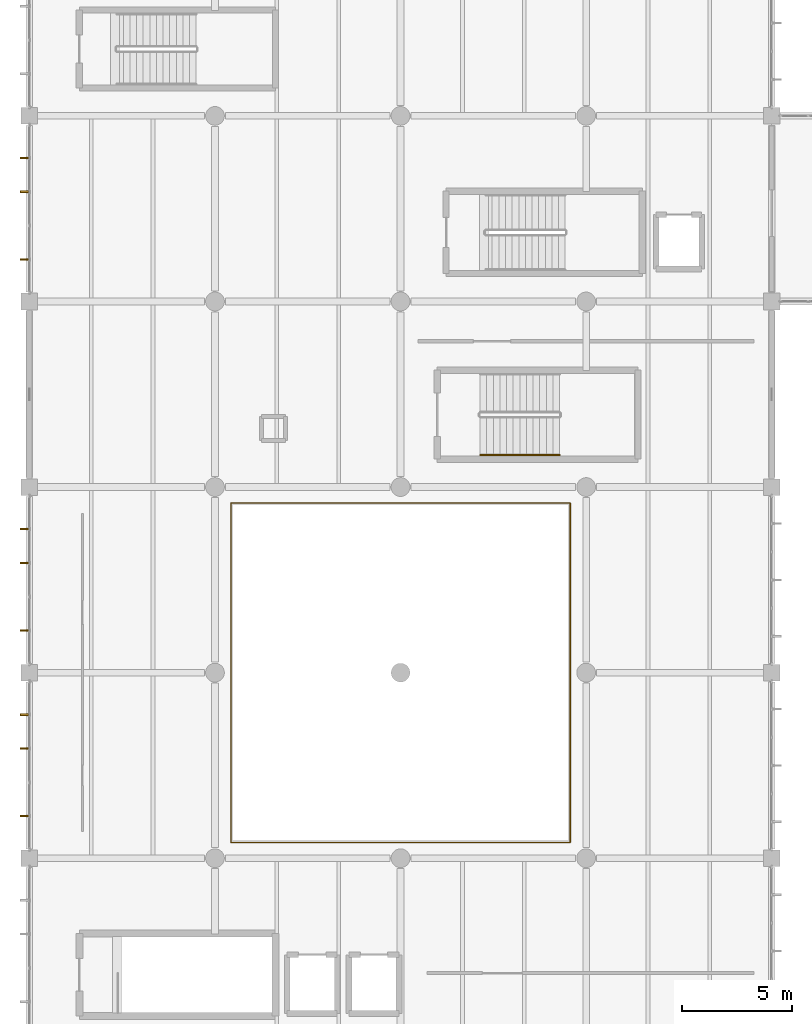
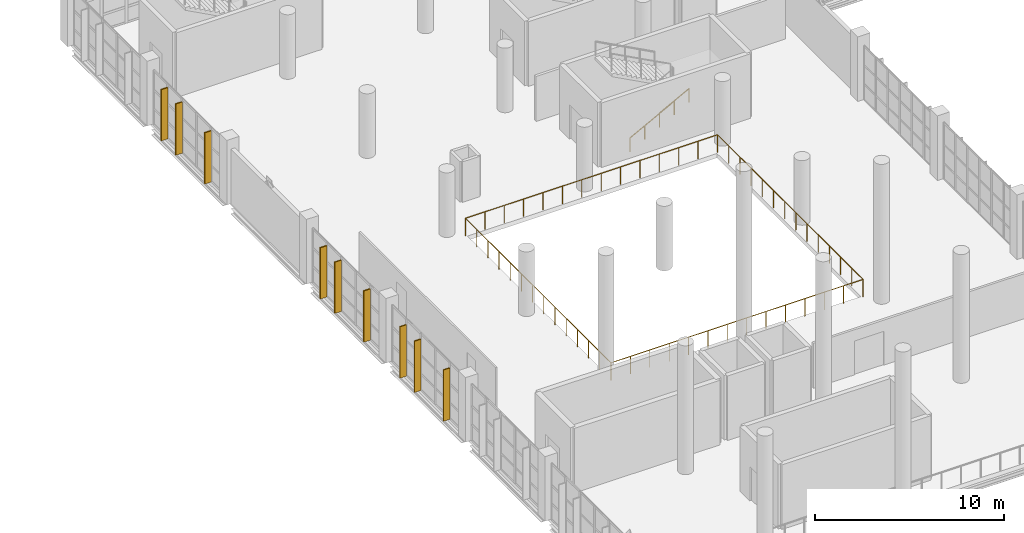
# One storey, part 166 of 177: 9 shading devices, 2 railings.
"""IFC4 building model written with IfcOpenShell, lengths in metres."""

from ifc_helpers import new_model, si_unit, direction, frame, origin, origin_2d, place, context, subcontext, project, spatial, rectangle, circle, extrude, material, type_object, element, save


model = new_model("IFC4")

# Units and contexts
model_context = context("Model", 3, precision=1e-05, world=origin(), true_north=direction((0.0, 1.0)))
body_context = subcontext(model_context, "Body", "Model", "MODEL_VIEW")
ifc_project = project(units=[si_unit("LENGTHUNIT", "METRE"), si_unit("AREAUNIT", "SQUARE_METRE"), si_unit("VOLUMEUNIT", "CUBIC_METRE"), si_unit("PLANEANGLEUNIT", "RADIAN"), si_unit("MASSUNIT", "GRAM", prefix="KILO"), si_unit("THERMODYNAMICTEMPERATUREUNIT", "KELVIN"), si_unit("POWERUNIT", "WATT")], contexts=[model_context])

# Site, building, storey
site_placement = place(None, origin())
site = spatial("IfcSite", under=ifc_project, at=site_placement, CompositionType="ELEMENT")
building_placement = place(site_placement, origin())
building = spatial("IfcBuilding", under=site, at=building_placement, Name="Mavoryth Pier Ferry Terminal", CompositionType="ELEMENT")
storey_placement = place(building_placement, frame((0.0, 0.0, 5.43994140625)))
storey = spatial("IfcBuildingStorey", under=building, at=storey_placement, Name="L01", CompositionType="ELEMENT", Elevation=5.43994140625)

# Shading devices
ifc_material_1 = material(Name="Anodised Aluminium Solar-Shading Fin", Category="aluminium")
shading_device_type = type_object("IfcShadingDeviceType", Name="Fin-BriseSoleil-400x75x3300", PredefinedType="SHUTTER", material=ifc_material_1)
for number, where, z_axis, x_axis, name in (
    (1, (-0.22412109375, 70.4951171875, 0.0), (0.0, 0.0, 1.0), (0.0, -1.0, 0.0), "Solar Shading Fin 43"),
    (2, (-0.22412109375, 68.965087890625, 0.0), (0.0, 0.0, 1.0), (0.0, -1.0, 0.0), "Solar Shading Fin 44"),
    (3, (-0.22412109375, 65.905029296875, 0.0), (0.0, 0.0, 1.0), (0.0, -1.0, 0.0), "Solar Shading Fin 45"),
    (4, (-0.22412109375, 78.89501953125, 0.0), (0.0, 0.0, 1.0), (0.0, -1.0, 0.0), "Solar Shading Fin 55"),
    (5, (-0.22412109375, 77.364990234375, 0.0), (0.0, 0.0, 1.0), (0.0, -1.0, 0.0), "Solar Shading Fin 56"),
    (6, (-0.22412109375, 74.304931640625, 0.0), (0.0, 0.0, 1.0), (0.0, -1.0, 0.0), "Solar Shading Fin 57"),
    (7, (-0.22412109375, 95.695068359375, 0.0), (0.0, 0.0, 1.0), (0.0, -1.0, 0.0), "Solar Shading Fin 67"),
    (8, (-0.22412109375, 94.1650390625, 0.0), (0.0, 0.0, 1.0), (0.0, -1.0, 0.0), "Solar Shading Fin 68"),
    (9, (-0.22412109375, 91.10498046875, 0.0), (0.0, 0.0, 1.0), (0.0, -1.0, 0.0), "Solar Shading Fin 69"),
):
    element("IfcShadingDevice", number, at=place(storey_placement, frame(where, z_axis=z_axis, x_axis=x_axis)), inside=storey, type_object=shading_device_type, Name=name, PredefinedType="SHUTTER", context=body_context, shape_type="SweptSolid", body=[
        extrude(rectangle(XDim=0.074951171875, YDim=0.39990234375, at=origin_2d()), origin(), (0.0, 0.0, 1.0), 3.300048828125),
    ])

# Railings
ifc_material_2 = material(Name="Bronze-Anodised Aluminium and Glass Balustrade", Category="aluminium")
railing_type_1 = type_object("IfcRailingType", Name="Guard-Atrium-Bronze1150", PredefinedType="GUARDRAIL", material=ifc_material_2)
railing_1_placement = place(storey_placement, frame((9.1201171875, 64.719970703125, 0.0)))
element("IfcRailing", 10, at=railing_1_placement, inside=storey, type_object=railing_type_1, Name="Guardrail GRD-L01-003", PredefinedType="GUARDRAIL", context=body_context, shape_type="SweptSolid", body=[
    extrude(circle(Radius=0.02392578125, at=origin_2d()), frame((0.0, 0.0, 1.1259765625), z_axis=(1.0, 0.0, 0.0), x_axis=(0.0, 1.0, 0.0)), (0.0, 0.0, 1.0), 15.35986328125),
    extrude(circle(Radius=0.02392578125, at=origin_2d()), frame((15.35986328125, 0.0, 1.1259765625), z_axis=(0.0, 1.0, 0.0), x_axis=(-1.0, 0.0, 0.0)), (0.0, 0.0, 1.0), 15.360107421875),
    extrude(circle(Radius=0.02392578125, at=origin_2d()), frame((15.35986328125, 15.360107421875, 1.1259765625), z_axis=(-1.0, 0.0, 0.0), x_axis=(0.0, -1.0, 0.0)), (0.0, 0.0, 1.0), 15.35986328125),
    extrude(circle(Radius=0.02392578125, at=origin_2d()), frame((0.0, 15.360107421875, 1.1259765625), z_axis=(0.0, -1.0, 0.0), x_axis=(1.0, 0.0, 0.0)), (0.0, 0.0, 1.0), 15.360107421875),
    extrude(circle(Radius=0.02099609375, at=origin_2d()), origin(), (0.0, 0.0, 1.0), 1.101806640625),
    extrude(circle(Radius=0.02099609375, at=origin_2d()), frame((1.181640625, 0.0, 0.0)), (0.0, 0.0, 1.0), 1.101806640625),
    extrude(circle(Radius=0.02099609375, at=origin_2d()), frame((2.363037109375, 0.0, 0.0)), (0.0, 0.0, 1.0), 1.101806640625),
    extrude(circle(Radius=0.02099609375, at=origin_2d()), frame((3.544677734375, 0.0, 0.0)), (0.0, 0.0, 1.0), 1.101806640625),
    extrude(circle(Radius=0.02099609375, at=origin_2d()), frame((4.72607421875, 0.0, 0.0)), (0.0, 0.0, 1.0), 1.101806640625),
    extrude(circle(Radius=0.02099609375, at=origin_2d()), frame((5.90771484375, 0.0, 0.0)), (0.0, 0.0, 1.0), 1.101806640625),
    extrude(circle(Radius=0.02099609375, at=origin_2d()), frame((7.089111328125, 0.0, 0.0)), (0.0, 0.0, 1.0), 1.101806640625),
    extrude(circle(Radius=0.02099609375, at=origin_2d()), frame((8.270751953125, 0.0, 0.0)), (0.0, 0.0, 1.0), 1.101806640625),
    extrude(circle(Radius=0.02099609375, at=origin_2d()), frame((9.4521484375, 0.0, 0.0)), (0.0, 0.0, 1.0), 1.101806640625),
    extrude(circle(Radius=0.02099609375, at=origin_2d()), frame((10.6337890625, 0.0, 0.0)), (0.0, 0.0, 1.0), 1.101806640625),
    extrude(circle(Radius=0.02099609375, at=origin_2d()), frame((11.815185546875, 0.0, 0.0)), (0.0, 0.0, 1.0), 1.101806640625),
    extrude(circle(Radius=0.02099609375, at=origin_2d()), frame((12.996826171875, 0.0, 0.0)), (0.0, 0.0, 1.0), 1.101806640625),
    extrude(circle(Radius=0.02099609375, at=origin_2d()), frame((14.17822265625, 0.0, 0.0)), (0.0, 0.0, 1.0), 1.101806640625),
    extrude(circle(Radius=0.02099609375, at=origin_2d()), frame((15.35986328125, 0.0, 0.0)), (0.0, 0.0, 1.0), 1.101806640625),
    extrude(circle(Radius=0.02099609375, at=origin_2d()), frame((15.35986328125, 1.181640625, 0.0)), (0.0, 0.0, 1.0), 1.101806640625),
    extrude(circle(Radius=0.02099609375, at=origin_2d()), frame((15.35986328125, 2.363037109375, 0.0)), (0.0, 0.0, 1.0), 1.101806640625),
    extrude(circle(Radius=0.02099609375, at=origin_2d()), frame((15.35986328125, 3.544677734375, 0.0)), (0.0, 0.0, 1.0), 1.101806640625),
    extrude(circle(Radius=0.02099609375, at=origin_2d()), frame((15.35986328125, 4.72607421875, 0.0)), (0.0, 0.0, 1.0), 1.101806640625),
    extrude(circle(Radius=0.02099609375, at=origin_2d()), frame((15.35986328125, 5.90771484375, 0.0)), (0.0, 0.0, 1.0), 1.101806640625),
    extrude(circle(Radius=0.02099609375, at=origin_2d()), frame((15.35986328125, 7.08935546875, 0.0)), (0.0, 0.0, 1.0), 1.101806640625),
    extrude(circle(Radius=0.02099609375, at=origin_2d()), frame((15.35986328125, 8.270751953125, 0.0)), (0.0, 0.0, 1.0), 1.101806640625),
    extrude(circle(Radius=0.02099609375, at=origin_2d()), frame((15.35986328125, 9.452392578125, 0.0)), (0.0, 0.0, 1.0), 1.101806640625),
    extrude(circle(Radius=0.02099609375, at=origin_2d()), frame((15.35986328125, 10.634033203125, 0.0)), (0.0, 0.0, 1.0), 1.101806640625),
    extrude(circle(Radius=0.02099609375, at=origin_2d()), frame((15.35986328125, 11.8154296875, 0.0)), (0.0, 0.0, 1.0), 1.101806640625),
    extrude(circle(Radius=0.02099609375, at=origin_2d()), frame((15.35986328125, 12.9970703125, 0.0)), (0.0, 0.0, 1.0), 1.101806640625),
    extrude(circle(Radius=0.02099609375, at=origin_2d()), frame((15.35986328125, 14.178466796875, 0.0)), (0.0, 0.0, 1.0), 1.101806640625),
    extrude(circle(Radius=0.02099609375, at=origin_2d()), frame((15.35986328125, 15.360107421875, 0.0)), (0.0, 0.0, 1.0), 1.101806640625),
    extrude(circle(Radius=0.02099609375, at=origin_2d()), frame((14.17822265625, 15.360107421875, 0.0)), (0.0, 0.0, 1.0), 1.101806640625),
    extrude(circle(Radius=0.02099609375, at=origin_2d()), frame((12.996826171875, 15.360107421875, 0.0)), (0.0, 0.0, 1.0), 1.101806640625),
    extrude(circle(Radius=0.02099609375, at=origin_2d()), frame((11.815185546875, 15.360107421875, 0.0)), (0.0, 0.0, 1.0), 1.101806640625),
    extrude(circle(Radius=0.02099609375, at=origin_2d()), frame((10.6337890625, 15.360107421875, 0.0)), (0.0, 0.0, 1.0), 1.101806640625),
    extrude(circle(Radius=0.02099609375, at=origin_2d()), frame((9.4521484375, 15.360107421875, 0.0)), (0.0, 0.0, 1.0), 1.101806640625),
    extrude(circle(Radius=0.02099609375, at=origin_2d()), frame((8.270751953125, 15.360107421875, 0.0)), (0.0, 0.0, 1.0), 1.101806640625),
    extrude(circle(Radius=0.02099609375, at=origin_2d()), frame((7.089111328125, 15.360107421875, 0.0)), (0.0, 0.0, 1.0), 1.101806640625),
    extrude(circle(Radius=0.02099609375, at=origin_2d()), frame((5.90771484375, 15.360107421875, 0.0)), (0.0, 0.0, 1.0), 1.101806640625),
    extrude(circle(Radius=0.02099609375, at=origin_2d()), frame((4.72607421875, 15.360107421875, 0.0)), (0.0, 0.0, 1.0), 1.101806640625),
    extrude(circle(Radius=0.02099609375, at=origin_2d()), frame((3.544677734375, 15.360107421875, 0.0)), (0.0, 0.0, 1.0), 1.101806640625),
    extrude(circle(Radius=0.02099609375, at=origin_2d()), frame((2.363037109375, 15.360107421875, 0.0)), (0.0, 0.0, 1.0), 1.101806640625),
    extrude(circle(Radius=0.02099609375, at=origin_2d()), frame((1.181640625, 15.360107421875, 0.0)), (0.0, 0.0, 1.0), 1.101806640625),
    extrude(circle(Radius=0.02099609375, at=origin_2d()), frame((0.0, 15.360107421875, 0.0)), (0.0, 0.0, 1.0), 1.101806640625),
    extrude(circle(Radius=0.02099609375, at=origin_2d()), frame((0.0, 14.178466796875, 0.0)), (0.0, 0.0, 1.0), 1.101806640625),
    extrude(circle(Radius=0.02099609375, at=origin_2d()), frame((0.0, 12.9970703125, 0.0)), (0.0, 0.0, 1.0), 1.101806640625),
    extrude(circle(Radius=0.02099609375, at=origin_2d()), frame((0.0, 11.8154296875, 0.0)), (0.0, 0.0, 1.0), 1.101806640625),
    extrude(circle(Radius=0.02099609375, at=origin_2d()), frame((0.0, 10.634033203125, 0.0)), (0.0, 0.0, 1.0), 1.101806640625),
    extrude(circle(Radius=0.02099609375, at=origin_2d()), frame((0.0, 9.452392578125, 0.0)), (0.0, 0.0, 1.0), 1.101806640625),
    extrude(circle(Radius=0.02099609375, at=origin_2d()), frame((0.0, 8.270751953125, 0.0)), (0.0, 0.0, 1.0), 1.101806640625),
    extrude(circle(Radius=0.02099609375, at=origin_2d()), frame((0.0, 7.08935546875, 0.0)), (0.0, 0.0, 1.0), 1.101806640625),
    extrude(circle(Radius=0.02099609375, at=origin_2d()), frame((0.0, 5.90771484375, 0.0)), (0.0, 0.0, 1.0), 1.101806640625),
    extrude(circle(Radius=0.02099609375, at=origin_2d()), frame((0.0, 4.72607421875, 0.0)), (0.0, 0.0, 1.0), 1.101806640625),
    extrude(circle(Radius=0.02099609375, at=origin_2d()), frame((0.0, 3.544677734375, 0.0)), (0.0, 0.0, 1.0), 1.101806640625),
    extrude(circle(Radius=0.02099609375, at=origin_2d()), frame((0.0, 2.363037109375, 0.0)), (0.0, 0.0, 1.0), 1.101806640625),
    extrude(circle(Radius=0.02099609375, at=origin_2d()), frame((0.0, 1.181640625, 0.0)), (0.0, 0.0, 1.0), 1.101806640625),
])
ifc_material_3 = material(Name="Brushed Stainless Steel Tubular Handrail", Category="steel")
railing_type_2 = type_object("IfcRailingType", Name="Handrail-Stair-SS900", PredefinedType="HANDRAIL", material=ifc_material_3)
railing_2_placement = place(storey_placement, frame((20.39990234375, 82.25, 0.16015625)))
element("IfcRailing", 11, at=railing_2_placement, inside=storey, type_object=railing_type_2, Name="L01 ST14 stair handrail 1", PredefinedType="HANDRAIL", context=body_context, shape_type="SweptSolid", body=[
    extrude(circle(Radius=0.02392578125, at=origin_2d()), frame((0.0, 0.0, 0.8759765625), z_axis=(0.882366192074, 0.0, 0.470563389019), x_axis=(0.0, 1.0, 0.0)), (0.0, 0.0, 1.0), 4.080078125),
    extrude(circle(Radius=0.02099609375, at=origin_2d()), origin(), (0.0, 0.0, 1.0), 0.851806640625),
    extrude(circle(Radius=0.02099609375, at=origin_2d()), frame((0.89990234375, 0.0, 0.47998046875)), (0.0, 0.0, 1.0), 0.851806640625),
    extrude(circle(Radius=0.02099609375, at=origin_2d()), frame((1.800048828125, 0.0, 0.9599609375)), (0.0, 0.0, 1.0), 0.851806640625),
    extrude(circle(Radius=0.02099609375, at=origin_2d()), frame((2.7001953125, 0.0, 1.43994140625)), (0.0, 0.0, 1.0), 0.851806640625),
    extrude(circle(Radius=0.02099609375, at=origin_2d()), frame((3.60009765625, 0.0, 1.919921875)), (0.0, 0.0, 1.0), 0.851806640625),
])

save(model, "model.ifc")
